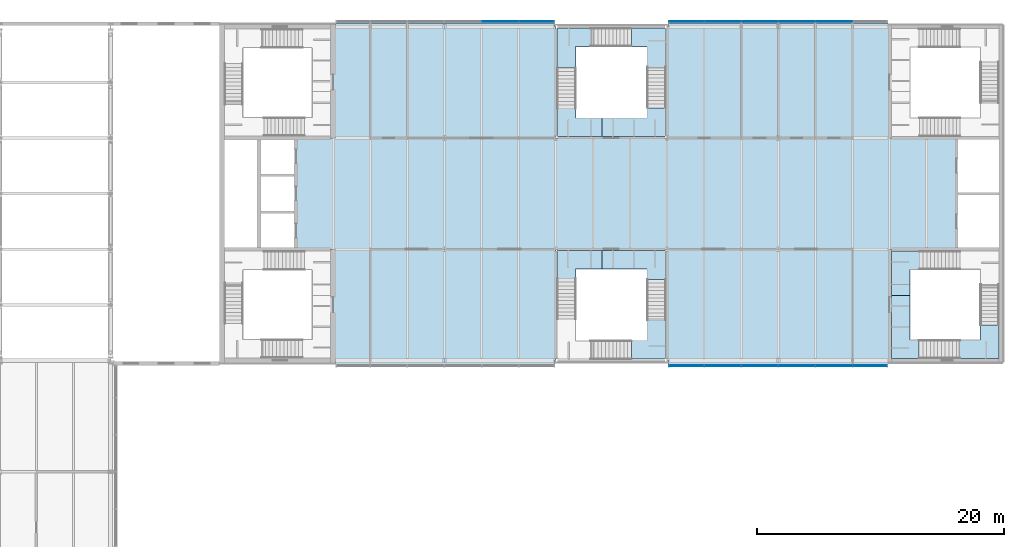
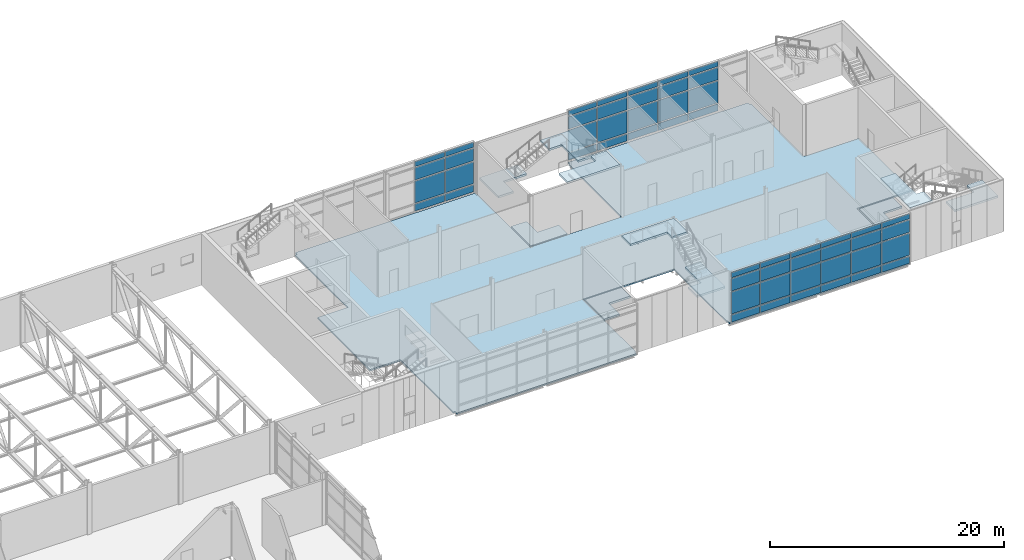
# One storey, part 34 of 53: 52 plates, 11 slabs, 6 elements without a shape of their own.
"""IFC4 building model written with IfcOpenShell, lengths in metres."""

from ifc_helpers import new_model, si_unit, direction, frame, origin, origin_2d, place, context, subcontext, project, spatial, polyline, rectangle, outline, extrude, material, layer, layer_set, type_object, element, aggregate, save


model = new_model("IFC4")

# Units and contexts
model_context = context("Model", 3, precision=1e-05, world=origin(), true_north=direction((0.0, 1.0)))
body_context = subcontext(model_context, "Body", "Model", "MODEL_VIEW")
ifc_project = project(units=[si_unit("LENGTHUNIT", "METRE"), si_unit("AREAUNIT", "SQUARE_METRE"), si_unit("VOLUMEUNIT", "CUBIC_METRE"), si_unit("PLANEANGLEUNIT", "RADIAN"), si_unit("MASSUNIT", "GRAM", prefix="KILO")], contexts=[model_context])

# Site, building, storey
site_placement = place(None, origin())
site = spatial("IfcSite", under=ifc_project, at=site_placement, CompositionType="ELEMENT")
building_placement = place(site_placement, origin())
building = spatial("IfcBuilding", under=site, at=building_placement, Name="Azimuth Sports and Learning Centre", CompositionType="ELEMENT")
storey_placement = place(building_placement, frame((0.0, 0.0, 10.800048828125)))
storey = spatial("IfcBuildingStorey", under=building, at=storey_placement, Name="L02", CompositionType="ELEMENT", Elevation=10.800048828125)

# Slab
ifc_material_1 = material(Name="Concrete C30/37", Category="concrete")
ifc_layer_1 = layer(ifc_material_1, 0.14990234375)
ifc_layer_set_1 = layer_set([ifc_layer_1], Name="Concrete C30/37")
slab_type_1 = type_object("IfcSlabType", Name="Composite floor slab 150", PredefinedType="FLOOR", material=ifc_layer_set_1)
slab_1_placement = place(storey_placement, frame((0.0, 0.0, -0.150146484375)))
element("IfcSlab", 1, at=slab_1_placement, inside=storey, type_object=slab_type_1, Name="Slab East wing L02", PredefinedType="FLOOR", context=body_context, shape_type="SweptSolid", body=[
    extrude(outline(polyline([(117.199951171875, 89.699951171875), (134.89990234375, 89.699951171875), (134.89990234375, 90.0), (135.0, 90.0), (135.0, 99.0), (144.0, 99.0), (144.0, 90.0), (144.10009765625, 90.0), (144.10009765625, 89.699951171875), (161.85009765625, 89.699951171875), (161.85009765625, 90.0), (162.0, 90.0), (162.0, 99.0), (167.39990234375, 99.0), (167.39990234375, 108.0), (162.0, 108.0), (162.0, 117.0), (161.85009765625, 117.0), (161.85009765625, 117.300048828125), (144.10009765625, 117.300048828125), (144.10009765625, 117.0), (144.0, 117.0), (144.0, 108.0), (135.0, 108.0), (135.0, 117.0), (134.89990234375, 117.0), (134.89990234375, 117.300048828125), (117.199951171875, 117.300048828125), (117.199951171875, 117.0), (117.0, 117.0), (117.0, 108.0), (114.0, 108.0), (114.0, 99.0), (117.0, 99.0), (117.0, 90.0), (117.199951171875, 90.0), (117.199951171875, 89.699951171875)])), origin(), (0.0, 0.0, 1.0), 0.150146484375),
])

# Stair, slabs
ifc_material_2 = material(Name="Concrete C32/40", Category="concrete")
stair_type_1 = type_object("IfcStairType", Name="Square-well stair end core 5400 storey", PredefinedType="THREE_QUARTER_TURN_STAIR", material=ifc_material_2)
stair_1_placement = place(storey_placement, origin())
stair_1 = element("IfcStair", 2, at=stair_1_placement, inside=storey, type_object=stair_type_1, Name="Stair EW1 L02-L03", PredefinedType="THREE_QUARTER_TURN_STAIR")
ifc_material_3 = material(Name="Concrete C32/40", Category="concrete")
ifc_layer_2 = layer(ifc_material_3, 0.199951171875)
ifc_layer_set_2 = layer_set([ifc_layer_2], Name="Concrete C32/40")
slab_type_2 = type_object("IfcSlabType", Name="Concrete stair landing", PredefinedType="LANDING", material=ifc_layer_set_2)
slab_2_placement = place(storey_placement, frame((0.0, 0.0, -0.199951171875)))
slab_2 = element("IfcSlab", 3, at=slab_2_placement, type_object=slab_type_2, Name="Stair EW1 L02 landing 1", PredefinedType="LANDING", context=body_context, shape_type="SweptSolid", body=[
    extrude(outline(polyline([(162.159912109375, 98.864990234375), (162.159912109375, 95.25), (163.659912109375, 95.25), (163.659912109375, 97.364990234375), (165.510009765625, 97.364990234375), (165.510009765625, 98.864990234375), (162.159912109375, 98.864990234375)])), origin(), (0.0, 0.0, 1.0), 0.199951171875),
])
slab_3_placement = place(storey_placement, frame((0.0, 0.0, 3.39990234375)))
slab_3 = element("IfcSlab", 4, at=slab_3_placement, type_object=slab_type_2, Name="Stair EW1 L02 landing 3", PredefinedType="LANDING", context=body_context, shape_type="SweptSolid", body=[
    extrude(outline(polyline([(169.340087890625, 91.659912109375), (166.590087890625, 91.659912109375), (166.590087890625, 90.159912109375), (170.840087890625, 90.159912109375), (170.840087890625, 92.86572265625), (169.340087890625, 92.86572265625), (169.340087890625, 91.659912109375)])), origin(), (0.0, 0.0, 1.0), 0.199951171875),
])
slab_4_placement = place(storey_placement, frame((0.0, 0.0, 5.199951171875)))
slab_4 = element("IfcSlab", 5, at=slab_4_placement, type_object=slab_type_2, Name="Stair EW1 L02 landing 4", PredefinedType="LANDING", context=body_context, shape_type="SweptSolid", body=[
    extrude(outline(polyline([(163.659912109375, 91.659912109375), (163.659912109375, 95.25), (162.159912109375, 95.25), (162.159912109375, 90.159912109375), (164.390625, 90.159912109375), (164.390625, 91.659912109375), (163.659912109375, 91.659912109375)])), origin(), (0.0, 0.0, 1.0), 0.199951171875),
])
aggregate(stair_1, [slab_2, slab_3, slab_4])

ifc_material_4 = material(Name="Concrete C32/40", Category="concrete")
stair_type_2 = type_object("IfcStairType", Name="Square-well stair mid-wing cell 5400 storey", PredefinedType="THREE_QUARTER_TURN_STAIR", material=ifc_material_4)
stair_2_placement = place(storey_placement, origin())
stair_2 = element("IfcStair", 6, at=stair_2_placement, inside=storey, type_object=stair_type_2, Name="Stair EM1 L02-L03", PredefinedType="THREE_QUARTER_TURN_STAIR")
slab_5_placement = place(storey_placement, frame((0.0, 0.0, -0.199951171875)))
slab_5 = element("IfcSlab", 7, at=slab_5_placement, type_object=slab_type_2, Name="Stair EM1 L02 landing 1", PredefinedType="LANDING", context=body_context, shape_type="SweptSolid", body=[
    extrude(outline(polyline([(136.610107421875, 95.5400390625), (136.610107421875, 97.389892578125), (138.75, 97.389892578125), (138.75, 98.889892578125), (135.110107421875, 98.889892578125), (135.110107421875, 95.5400390625), (136.610107421875, 95.5400390625)])), origin(), (0.0, 0.0, 1.0), 0.199951171875),
])
slab_6_placement = place(storey_placement, frame((0.0, 0.0, 3.39990234375)))
slab_6 = element("IfcSlab", 8, at=slab_6_placement, type_object=slab_type_2, Name="Stair EM1 L02 landing 3", PredefinedType="LANDING", context=body_context, shape_type="SweptSolid", body=[
    extrude(outline(polyline([(142.389892578125, 91.610107421875), (141.109375, 91.610107421875), (141.109375, 90.110107421875), (143.889892578125, 90.110107421875), (143.889892578125, 94.360107421875), (142.389892578125, 94.360107421875), (142.389892578125, 91.610107421875)])), origin(), (0.0, 0.0, 1.0), 0.199951171875),
])
slab_7_placement = place(storey_placement, frame((0.0, 0.0, 5.199951171875)))
slab_7 = element("IfcSlab", 9, at=slab_7_placement, type_object=slab_type_2, Name="Stair EM1 L02 landing 4", PredefinedType="LANDING", context=body_context, shape_type="SweptSolid", body=[
    extrude(outline(polyline([(142.389892578125, 97.389892578125), (142.389892578125, 96.559326171875), (143.889892578125, 96.559326171875), (143.889892578125, 98.889892578125), (138.75, 98.889892578125), (138.75, 97.389892578125), (142.389892578125, 97.389892578125)])), origin(), (0.0, 0.0, 1.0), 0.199951171875),
])
aggregate(stair_2, [slab_5, slab_6, slab_7])

stair_3_placement = place(storey_placement, origin())
stair_3 = element("IfcStair", 10, at=stair_3_placement, inside=storey, type_object=stair_type_2, Name="Stair EM2 L02-L03", PredefinedType="THREE_QUARTER_TURN_STAIR")
slab_8_placement = place(storey_placement, frame((0.0, 0.0, -0.199951171875)))
slab_8 = element("IfcSlab", 11, at=slab_8_placement, type_object=slab_type_2, Name="Stair EM2 L02 landing 1", PredefinedType="LANDING", context=body_context, shape_type="SweptSolid", body=[
    extrude(outline(polyline([(135.110107421875, 108.110107421875), (138.75, 108.110107421875), (138.75, 109.610107421875), (136.610107421875, 109.610107421875), (136.610107421875, 111.4599609375), (135.110107421875, 111.4599609375), (135.110107421875, 108.110107421875)])), origin(), (0.0, 0.0, 1.0), 0.199951171875),
])
slab_9_placement = place(storey_placement, frame((0.0, 0.0, 1.599853515625)))
slab_9 = element("IfcSlab", 12, at=slab_9_placement, type_object=slab_type_2, Name="Stair EM2 L02 landing 2", PredefinedType="LANDING", context=body_context, shape_type="SweptSolid", body=[
    extrude(outline(polyline([(136.610107421875, 115.389892578125), (138.909912109375, 115.389892578125), (138.909912109375, 116.889892578125), (135.110107421875, 116.889892578125), (135.110107421875, 113.6591796875), (136.610107421875, 113.6591796875), (136.610107421875, 115.389892578125)])), origin(), (0.0, 0.0, 1.0), 0.2001953125),
])
slab_10_placement = place(storey_placement, frame((0.0, 0.0, 3.39990234375)))
slab_10 = element("IfcSlab", 13, at=slab_10_placement, type_object=slab_type_2, Name="Stair EM2 L02 landing 3", PredefinedType="LANDING", context=body_context, shape_type="SweptSolid", body=[
    extrude(outline(polyline([(142.389892578125, 115.389892578125), (142.389892578125, 112.639892578125), (143.889892578125, 112.639892578125), (143.889892578125, 116.889892578125), (141.109375, 116.889892578125), (141.109375, 115.389892578125), (142.389892578125, 115.389892578125)])), origin(), (0.0, 0.0, 1.0), 0.199951171875),
])
slab_11_placement = place(storey_placement, frame((0.0, 0.0, 5.199951171875)))
slab_11 = element("IfcSlab", 14, at=slab_11_placement, type_object=slab_type_2, Name="Stair EM2 L02 landing 4", PredefinedType="LANDING", context=body_context, shape_type="SweptSolid", body=[
    extrude(outline(polyline([(142.389892578125, 109.610107421875), (138.75, 109.610107421875), (138.75, 108.110107421875), (143.889892578125, 108.110107421875), (143.889892578125, 110.440673828125), (142.389892578125, 110.440673828125), (142.389892578125, 109.610107421875)])), origin(), (0.0, 0.0, 1.0), 0.199951171875),
])
aggregate(stair_3, [slab_8, slab_9, slab_10, slab_11])

# Curtain wall, plates
ifc_material_5 = material(Name="Aluminium and glass", Category="aluminium")
curtain_wall_type = type_object("IfcCurtainWallType", Name="Curtain wall podium wing 240", PredefinedType="NOTDEFINED", material=ifc_material_5)
curtain_wall_1_placement = place(storey_placement, origin())
curtain_wall_1 = element("IfcCurtainWall", 15, at=curtain_wall_1_placement, inside=storey, type_object=curtain_wall_type, Name="Curtain wall CW02-010", PredefinedType="NOTDEFINED")
ifc_material_6 = material(Name="Insulated aluminium panel", Category="aluminium")
ifc_layer_3 = layer(ifc_material_6, 0.06005859375)
ifc_layer_set_3 = layer_set([ifc_layer_3], Name="Insulated aluminium panel")
plate_type_1 = type_object("IfcPlateType", Name="Spandrel panel 60 mm", PredefinedType="CURTAIN_PANEL", material=ifc_layer_set_3)
plate_1_placement = place(storey_placement, frame((145.570068359375, 89.580078125, 0.1201171875), z_axis=(0.0, 0.0, 1.0), x_axis=(1.0, 0.0, 0.0)))
plate_1 = element("IfcPlate", 16, at=plate_1_placement, type_object=plate_type_1, Name="CW02-010 panel 1.1", PredefinedType="CURTAIN_PANEL", context=body_context, shape_type="SweptSolid", body=[
    extrude(rectangle(XDim=2.780029296875, YDim=0.06005859375, at=origin_2d()), origin(), (0.0, 0.0, 1.0), 0.719970703125),
])
plate_2_placement = place(storey_placement, frame((145.570068359375, 89.580078125, 4.760009765625), z_axis=(0.0, 0.0, 1.0), x_axis=(1.0, 0.0, 0.0)))
plate_2 = element("IfcPlate", 17, at=plate_2_placement, type_object=plate_type_1, Name="CW02-010 panel 1.4", PredefinedType="CURTAIN_PANEL", context=body_context, shape_type="SweptSolid", body=[
    extrude(rectangle(XDim=2.780029296875, YDim=0.06005859375, at=origin_2d()), origin(), (0.0, 0.0, 1.0), 0.52001953125),
])
plate_3_placement = place(storey_placement, frame((148.5, 89.580078125, 0.1201171875), z_axis=(0.0, 0.0, 1.0), x_axis=(1.0, 0.0, 0.0)))
plate_3 = element("IfcPlate", 18, at=plate_3_placement, type_object=plate_type_1, Name="CW02-010 panel 2.1", PredefinedType="CURTAIN_PANEL", context=body_context, shape_type="SweptSolid", body=[
    extrude(rectangle(XDim=2.919921875, YDim=0.06005859375, at=origin_2d()), origin(), (0.0, 0.0, 1.0), 0.719970703125),
])
plate_4_placement = place(storey_placement, frame((148.5, 89.580078125, 4.760009765625), z_axis=(0.0, 0.0, 1.0), x_axis=(1.0, 0.0, 0.0)))
plate_4 = element("IfcPlate", 19, at=plate_4_placement, type_object=plate_type_1, Name="CW02-010 panel 2.4", PredefinedType="CURTAIN_PANEL", context=body_context, shape_type="SweptSolid", body=[
    extrude(rectangle(XDim=2.919921875, YDim=0.06005859375, at=origin_2d()), origin(), (0.0, 0.0, 1.0), 0.52001953125),
])
plate_5_placement = place(storey_placement, frame((151.5, 89.580078125, 0.1201171875), z_axis=(0.0, 0.0, 1.0), x_axis=(1.0, 0.0, 0.0)))
plate_5 = element("IfcPlate", 20, at=plate_5_placement, type_object=plate_type_1, Name="CW02-010 panel 3.1", PredefinedType="CURTAIN_PANEL", context=body_context, shape_type="SweptSolid", body=[
    extrude(rectangle(XDim=2.919921875, YDim=0.06005859375, at=origin_2d()), origin(), (0.0, 0.0, 1.0), 0.719970703125),
])
plate_6_placement = place(storey_placement, frame((151.5, 89.580078125, 4.760009765625), z_axis=(0.0, 0.0, 1.0), x_axis=(1.0, 0.0, 0.0)))
plate_6 = element("IfcPlate", 21, at=plate_6_placement, type_object=plate_type_1, Name="CW02-010 panel 3.4", PredefinedType="CURTAIN_PANEL", context=body_context, shape_type="SweptSolid", body=[
    extrude(rectangle(XDim=2.919921875, YDim=0.06005859375, at=origin_2d()), origin(), (0.0, 0.0, 1.0), 0.52001953125),
])
plate_7_placement = place(storey_placement, frame((154.5, 89.580078125, 0.1201171875), z_axis=(0.0, 0.0, 1.0), x_axis=(1.0, 0.0, 0.0)))
plate_7 = element("IfcPlate", 22, at=plate_7_placement, type_object=plate_type_1, Name="CW02-010 panel 4.1", PredefinedType="CURTAIN_PANEL", context=body_context, shape_type="SweptSolid", body=[
    extrude(rectangle(XDim=2.919921875, YDim=0.06005859375, at=origin_2d()), origin(), (0.0, 0.0, 1.0), 0.719970703125),
])
plate_8_placement = place(storey_placement, frame((154.5, 89.580078125, 4.760009765625), z_axis=(0.0, 0.0, 1.0), x_axis=(1.0, 0.0, 0.0)))
plate_8 = element("IfcPlate", 23, at=plate_8_placement, type_object=plate_type_1, Name="CW02-010 panel 4.4", PredefinedType="CURTAIN_PANEL", context=body_context, shape_type="SweptSolid", body=[
    extrude(rectangle(XDim=2.919921875, YDim=0.06005859375, at=origin_2d()), origin(), (0.0, 0.0, 1.0), 0.52001953125),
])
plate_9_placement = place(storey_placement, frame((157.5, 89.580078125, 0.1201171875), z_axis=(0.0, 0.0, 1.0), x_axis=(1.0, 0.0, 0.0)))
plate_9 = element("IfcPlate", 24, at=plate_9_placement, type_object=plate_type_1, Name="CW02-010 panel 5.1", PredefinedType="CURTAIN_PANEL", context=body_context, shape_type="SweptSolid", body=[
    extrude(rectangle(XDim=2.919921875, YDim=0.06005859375, at=origin_2d()), origin(), (0.0, 0.0, 1.0), 0.719970703125),
])
plate_10_placement = place(storey_placement, frame((157.5, 89.580078125, 4.760009765625), z_axis=(0.0, 0.0, 1.0), x_axis=(1.0, 0.0, 0.0)))
plate_10 = element("IfcPlate", 25, at=plate_10_placement, type_object=plate_type_1, Name="CW02-010 panel 5.4", PredefinedType="CURTAIN_PANEL", context=body_context, shape_type="SweptSolid", body=[
    extrude(rectangle(XDim=2.919921875, YDim=0.06005859375, at=origin_2d()), origin(), (0.0, 0.0, 1.0), 0.52001953125),
])
plate_11_placement = place(storey_placement, frame((160.405029296875, 89.580078125, 0.1201171875), z_axis=(0.0, 0.0, 1.0), x_axis=(1.0, 0.0, 0.0)))
plate_11 = element("IfcPlate", 26, at=plate_11_placement, type_object=plate_type_1, Name="CW02-010 panel 6.1", PredefinedType="CURTAIN_PANEL", context=body_context, shape_type="SweptSolid", body=[
    extrude(rectangle(XDim=2.72998046875, YDim=0.06005859375, at=origin_2d()), origin(), (0.0, 0.0, 1.0), 0.719970703125),
])
plate_12_placement = place(storey_placement, frame((160.405029296875, 89.580078125, 4.760009765625), z_axis=(0.0, 0.0, 1.0), x_axis=(1.0, 0.0, 0.0)))
plate_12 = element("IfcPlate", 27, at=plate_12_placement, type_object=plate_type_1, Name="CW02-010 panel 6.4", PredefinedType="CURTAIN_PANEL", context=body_context, shape_type="SweptSolid", body=[
    extrude(rectangle(XDim=2.72998046875, YDim=0.06005859375, at=origin_2d()), origin(), (0.0, 0.0, 1.0), 0.52001953125),
])

curtain_wall_2_placement = place(storey_placement, origin())
curtain_wall_2 = element("IfcCurtainWall", 28, at=curtain_wall_2_placement, inside=storey, type_object=curtain_wall_type, Name="Curtain wall CW02-011", PredefinedType="NOTDEFINED")
plate_13_placement = place(storey_placement, frame((157.5, 117.419921875, 0.1201171875), z_axis=(0.0, 0.0, 1.0), x_axis=(-1.0, 0.0, 0.0)))
plate_13 = element("IfcPlate", 29, at=plate_13_placement, type_object=plate_type_1, Name="CW02-011 panel 2.1", PredefinedType="CURTAIN_PANEL", context=body_context, shape_type="SweptSolid", body=[
    extrude(rectangle(XDim=2.919921875, YDim=0.06005859375, at=origin_2d()), origin(), (0.0, 0.0, 1.0), 0.719970703125),
])
plate_14_placement = place(storey_placement, frame((157.5, 117.419921875, 4.760009765625), z_axis=(0.0, 0.0, 1.0), x_axis=(-1.0, 0.0, 0.0)))
plate_14 = element("IfcPlate", 30, at=plate_14_placement, type_object=plate_type_1, Name="CW02-011 panel 2.4", PredefinedType="CURTAIN_PANEL", context=body_context, shape_type="SweptSolid", body=[
    extrude(rectangle(XDim=2.919921875, YDim=0.06005859375, at=origin_2d()), origin(), (0.0, 0.0, 1.0), 0.52001953125),
])
plate_15_placement = place(storey_placement, frame((154.5, 117.419921875, 0.1201171875), z_axis=(0.0, 0.0, 1.0), x_axis=(-1.0, 0.0, 0.0)))
plate_15 = element("IfcPlate", 31, at=plate_15_placement, type_object=plate_type_1, Name="CW02-011 panel 3.1", PredefinedType="CURTAIN_PANEL", context=body_context, shape_type="SweptSolid", body=[
    extrude(rectangle(XDim=2.919921875, YDim=0.06005859375, at=origin_2d()), origin(), (0.0, 0.0, 1.0), 0.719970703125),
])
plate_16_placement = place(storey_placement, frame((154.5, 117.419921875, 4.760009765625), z_axis=(0.0, 0.0, 1.0), x_axis=(-1.0, 0.0, 0.0)))
plate_16 = element("IfcPlate", 32, at=plate_16_placement, type_object=plate_type_1, Name="CW02-011 panel 3.4", PredefinedType="CURTAIN_PANEL", context=body_context, shape_type="SweptSolid", body=[
    extrude(rectangle(XDim=2.919921875, YDim=0.06005859375, at=origin_2d()), origin(), (0.0, 0.0, 1.0), 0.52001953125),
])
plate_17_placement = place(storey_placement, frame((151.5, 117.419921875, 0.1201171875), z_axis=(0.0, 0.0, 1.0), x_axis=(-1.0, 0.0, 0.0)))
plate_17 = element("IfcPlate", 33, at=plate_17_placement, type_object=plate_type_1, Name="CW02-011 panel 4.1", PredefinedType="CURTAIN_PANEL", context=body_context, shape_type="SweptSolid", body=[
    extrude(rectangle(XDim=2.919921875, YDim=0.06005859375, at=origin_2d()), origin(), (0.0, 0.0, 1.0), 0.719970703125),
])
plate_18_placement = place(storey_placement, frame((151.5, 117.419921875, 4.760009765625), z_axis=(0.0, 0.0, 1.0), x_axis=(-1.0, 0.0, 0.0)))
plate_18 = element("IfcPlate", 34, at=plate_18_placement, type_object=plate_type_1, Name="CW02-011 panel 4.4", PredefinedType="CURTAIN_PANEL", context=body_context, shape_type="SweptSolid", body=[
    extrude(rectangle(XDim=2.919921875, YDim=0.06005859375, at=origin_2d()), origin(), (0.0, 0.0, 1.0), 0.52001953125),
])
plate_19_placement = place(storey_placement, frame((148.5, 117.419921875, 0.1201171875), z_axis=(0.0, 0.0, 1.0), x_axis=(-1.0, 0.0, 0.0)))
plate_19 = element("IfcPlate", 35, at=plate_19_placement, type_object=plate_type_1, Name="CW02-011 panel 5.1", PredefinedType="CURTAIN_PANEL", context=body_context, shape_type="SweptSolid", body=[
    extrude(rectangle(XDim=2.919921875, YDim=0.06005859375, at=origin_2d()), origin(), (0.0, 0.0, 1.0), 0.719970703125),
])
plate_20_placement = place(storey_placement, frame((148.5, 117.419921875, 4.760009765625), z_axis=(0.0, 0.0, 1.0), x_axis=(-1.0, 0.0, 0.0)))
plate_20 = element("IfcPlate", 36, at=plate_20_placement, type_object=plate_type_1, Name="CW02-011 panel 5.4", PredefinedType="CURTAIN_PANEL", context=body_context, shape_type="SweptSolid", body=[
    extrude(rectangle(XDim=2.919921875, YDim=0.06005859375, at=origin_2d()), origin(), (0.0, 0.0, 1.0), 0.52001953125),
])
plate_21_placement = place(storey_placement, frame((145.570068359375, 117.419921875, 0.1201171875), z_axis=(0.0, 0.0, 1.0), x_axis=(-1.0, 0.0, 0.0)))
plate_21 = element("IfcPlate", 37, at=plate_21_placement, type_object=plate_type_1, Name="CW02-011 panel 6.1", PredefinedType="CURTAIN_PANEL", context=body_context, shape_type="SweptSolid", body=[
    extrude(rectangle(XDim=2.780029296875, YDim=0.06005859375, at=origin_2d()), origin(), (0.0, 0.0, 1.0), 0.719970703125),
])
plate_22_placement = place(storey_placement, frame((145.570068359375, 117.419921875, 4.760009765625), z_axis=(0.0, 0.0, 1.0), x_axis=(-1.0, 0.0, 0.0)))
plate_22 = element("IfcPlate", 38, at=plate_22_placement, type_object=plate_type_1, Name="CW02-011 panel 6.4", PredefinedType="CURTAIN_PANEL", context=body_context, shape_type="SweptSolid", body=[
    extrude(rectangle(XDim=2.780029296875, YDim=0.06005859375, at=origin_2d()), origin(), (0.0, 0.0, 1.0), 0.52001953125),
])

curtain_wall_3_placement = place(storey_placement, origin())
curtain_wall_3 = element("IfcCurtainWall", 39, at=curtain_wall_3_placement, inside=storey, type_object=curtain_wall_type, Name="Curtain wall CW02-012", PredefinedType="NOTDEFINED")
plate_23_placement = place(storey_placement, frame((133.429931640625, 117.419921875, 0.1201171875), z_axis=(0.0, 0.0, 1.0), x_axis=(-1.0, 0.0, 0.0)))
plate_23 = element("IfcPlate", 40, at=plate_23_placement, type_object=plate_type_1, Name="CW02-012 panel 1.1", PredefinedType="CURTAIN_PANEL", context=body_context, shape_type="SweptSolid", body=[
    extrude(rectangle(XDim=2.780029296875, YDim=0.06005859375, at=origin_2d()), origin(), (0.0, 0.0, 1.0), 0.719970703125),
])
plate_24_placement = place(storey_placement, frame((133.429931640625, 117.419921875, 4.760009765625), z_axis=(0.0, 0.0, 1.0), x_axis=(-1.0, 0.0, 0.0)))
plate_24 = element("IfcPlate", 41, at=plate_24_placement, type_object=plate_type_1, Name="CW02-012 panel 1.4", PredefinedType="CURTAIN_PANEL", context=body_context, shape_type="SweptSolid", body=[
    extrude(rectangle(XDim=2.780029296875, YDim=0.06005859375, at=origin_2d()), origin(), (0.0, 0.0, 1.0), 0.52001953125),
])
plate_25_placement = place(storey_placement, frame((130.5, 117.419921875, 0.1201171875), z_axis=(0.0, 0.0, 1.0), x_axis=(-1.0, 0.0, 0.0)))
plate_25 = element("IfcPlate", 42, at=plate_25_placement, type_object=plate_type_1, Name="CW02-012 panel 2.1", PredefinedType="CURTAIN_PANEL", context=body_context, shape_type="SweptSolid", body=[
    extrude(rectangle(XDim=2.919921875, YDim=0.06005859375, at=origin_2d()), origin(), (0.0, 0.0, 1.0), 0.719970703125),
])
plate_26_placement = place(storey_placement, frame((130.5, 117.419921875, 4.760009765625), z_axis=(0.0, 0.0, 1.0), x_axis=(-1.0, 0.0, 0.0)))
plate_26 = element("IfcPlate", 43, at=plate_26_placement, type_object=plate_type_1, Name="CW02-012 panel 2.4", PredefinedType="CURTAIN_PANEL", context=body_context, shape_type="SweptSolid", body=[
    extrude(rectangle(XDim=2.919921875, YDim=0.06005859375, at=origin_2d()), origin(), (0.0, 0.0, 1.0), 0.52001953125),
])

# Plate
ifc_material_7 = material(Name="Glass", Category="glass")
ifc_layer_4 = layer(ifc_material_7, 0.0439453125)
ifc_layer_set_4 = layer_set([ifc_layer_4], Name="Glass")
plate_type_2 = type_object("IfcPlateType", Name="Vision glass 44 mm", PredefinedType="CURTAIN_PANEL", material=ifc_layer_set_4)
plate_27_placement = place(storey_placement, frame((145.570068359375, 89.580078125, 0.9599609375), z_axis=(0.0, 0.0, 1.0), x_axis=(1.0, 0.0, 0.0)))
plate_27 = element("IfcPlate", 44, at=plate_27_placement, type_object=plate_type_2, Name="CW02-010 panel 1.2", PredefinedType="CURTAIN_PANEL", context=body_context, shape_type="SweptSolid", body=[
    extrude(rectangle(XDim=2.780029296875, YDim=0.0439453125, at=origin_2d()), origin(), (0.0, 0.0, 1.0), 2.280029296875),
])

plate_28_placement = place(storey_placement, frame((145.570068359375, 89.580078125, 3.35986328125), z_axis=(0.0, 0.0, 1.0), x_axis=(1.0, 0.0, 0.0)))
plate_28 = element("IfcPlate", 45, at=plate_28_placement, type_object=plate_type_2, Name="CW02-010 panel 1.3", PredefinedType="CURTAIN_PANEL", context=body_context, shape_type="SweptSolid", body=[
    extrude(rectangle(XDim=2.780029296875, YDim=0.0439453125, at=origin_2d()), origin(), (0.0, 0.0, 1.0), 1.280029296875),
])

plate_29_placement = place(storey_placement, frame((148.5, 89.580078125, 0.9599609375), z_axis=(0.0, 0.0, 1.0), x_axis=(1.0, 0.0, 0.0)))
plate_29 = element("IfcPlate", 46, at=plate_29_placement, type_object=plate_type_2, Name="CW02-010 panel 2.2", PredefinedType="CURTAIN_PANEL", context=body_context, shape_type="SweptSolid", body=[
    extrude(rectangle(XDim=2.919921875, YDim=0.0439453125, at=origin_2d()), origin(), (0.0, 0.0, 1.0), 2.280029296875),
])

plate_30_placement = place(storey_placement, frame((148.5, 89.580078125, 3.35986328125), z_axis=(0.0, 0.0, 1.0), x_axis=(1.0, 0.0, 0.0)))
plate_30 = element("IfcPlate", 47, at=plate_30_placement, type_object=plate_type_2, Name="CW02-010 panel 2.3", PredefinedType="CURTAIN_PANEL", context=body_context, shape_type="SweptSolid", body=[
    extrude(rectangle(XDim=2.919921875, YDim=0.0439453125, at=origin_2d()), origin(), (0.0, 0.0, 1.0), 1.280029296875),
])

plate_31_placement = place(storey_placement, frame((151.5, 89.580078125, 0.9599609375), z_axis=(0.0, 0.0, 1.0), x_axis=(1.0, 0.0, 0.0)))
plate_31 = element("IfcPlate", 48, at=plate_31_placement, type_object=plate_type_2, Name="CW02-010 panel 3.2", PredefinedType="CURTAIN_PANEL", context=body_context, shape_type="SweptSolid", body=[
    extrude(rectangle(XDim=2.919921875, YDim=0.0439453125, at=origin_2d()), origin(), (0.0, 0.0, 1.0), 2.280029296875),
])

plate_32_placement = place(storey_placement, frame((151.5, 89.580078125, 3.35986328125), z_axis=(0.0, 0.0, 1.0), x_axis=(1.0, 0.0, 0.0)))
plate_32 = element("IfcPlate", 49, at=plate_32_placement, type_object=plate_type_2, Name="CW02-010 panel 3.3", PredefinedType="CURTAIN_PANEL", context=body_context, shape_type="SweptSolid", body=[
    extrude(rectangle(XDim=2.919921875, YDim=0.0439453125, at=origin_2d()), origin(), (0.0, 0.0, 1.0), 1.280029296875),
])

plate_33_placement = place(storey_placement, frame((154.5, 89.580078125, 0.9599609375), z_axis=(0.0, 0.0, 1.0), x_axis=(1.0, 0.0, 0.0)))
plate_33 = element("IfcPlate", 50, at=plate_33_placement, type_object=plate_type_2, Name="CW02-010 panel 4.2", PredefinedType="CURTAIN_PANEL", context=body_context, shape_type="SweptSolid", body=[
    extrude(rectangle(XDim=2.919921875, YDim=0.0439453125, at=origin_2d()), origin(), (0.0, 0.0, 1.0), 2.280029296875),
])

plate_34_placement = place(storey_placement, frame((154.5, 89.580078125, 3.35986328125), z_axis=(0.0, 0.0, 1.0), x_axis=(1.0, 0.0, 0.0)))
plate_34 = element("IfcPlate", 51, at=plate_34_placement, type_object=plate_type_2, Name="CW02-010 panel 4.3", PredefinedType="CURTAIN_PANEL", context=body_context, shape_type="SweptSolid", body=[
    extrude(rectangle(XDim=2.919921875, YDim=0.0439453125, at=origin_2d()), origin(), (0.0, 0.0, 1.0), 1.280029296875),
])

plate_35_placement = place(storey_placement, frame((157.5, 89.580078125, 0.9599609375), z_axis=(0.0, 0.0, 1.0), x_axis=(1.0, 0.0, 0.0)))
plate_35 = element("IfcPlate", 52, at=plate_35_placement, type_object=plate_type_2, Name="CW02-010 panel 5.2", PredefinedType="CURTAIN_PANEL", context=body_context, shape_type="SweptSolid", body=[
    extrude(rectangle(XDim=2.919921875, YDim=0.0439453125, at=origin_2d()), origin(), (0.0, 0.0, 1.0), 2.280029296875),
])

plate_36_placement = place(storey_placement, frame((157.5, 89.580078125, 3.35986328125), z_axis=(0.0, 0.0, 1.0), x_axis=(1.0, 0.0, 0.0)))
plate_36 = element("IfcPlate", 53, at=plate_36_placement, type_object=plate_type_2, Name="CW02-010 panel 5.3", PredefinedType="CURTAIN_PANEL", context=body_context, shape_type="SweptSolid", body=[
    extrude(rectangle(XDim=2.919921875, YDim=0.0439453125, at=origin_2d()), origin(), (0.0, 0.0, 1.0), 1.280029296875),
])

plate_37_placement = place(storey_placement, frame((160.405029296875, 89.580078125, 0.9599609375), z_axis=(0.0, 0.0, 1.0), x_axis=(1.0, 0.0, 0.0)))
plate_37 = element("IfcPlate", 54, at=plate_37_placement, type_object=plate_type_2, Name="CW02-010 panel 6.2", PredefinedType="CURTAIN_PANEL", context=body_context, shape_type="SweptSolid", body=[
    extrude(rectangle(XDim=2.72998046875, YDim=0.0439453125, at=origin_2d()), origin(), (0.0, 0.0, 1.0), 2.280029296875),
])

plate_38_placement = place(storey_placement, frame((160.405029296875, 89.580078125, 3.35986328125), z_axis=(0.0, 0.0, 1.0), x_axis=(1.0, 0.0, 0.0)))
plate_38 = element("IfcPlate", 55, at=plate_38_placement, type_object=plate_type_2, Name="CW02-010 panel 6.3", PredefinedType="CURTAIN_PANEL", context=body_context, shape_type="SweptSolid", body=[
    extrude(rectangle(XDim=2.72998046875, YDim=0.0439453125, at=origin_2d()), origin(), (0.0, 0.0, 1.0), 1.280029296875),
])

aggregate(curtain_wall_1, [plate_1, plate_27, plate_28, plate_2, plate_3, plate_29, plate_30, plate_4, plate_5, plate_31, plate_32, plate_6, plate_7, plate_33, plate_34, plate_8, plate_9, plate_35, plate_36, plate_10, plate_11, plate_37, plate_38, plate_12])

plate_39_placement = place(storey_placement, frame((157.5, 117.419921875, 0.9599609375), z_axis=(0.0, 0.0, 1.0), x_axis=(-1.0, 0.0, 0.0)))
plate_39 = element("IfcPlate", 56, at=plate_39_placement, type_object=plate_type_2, Name="CW02-011 panel 2.2", PredefinedType="CURTAIN_PANEL", context=body_context, shape_type="SweptSolid", body=[
    extrude(rectangle(XDim=2.919921875, YDim=0.0439453125, at=origin_2d()), origin(), (0.0, 0.0, 1.0), 2.280029296875),
])

plate_40_placement = place(storey_placement, frame((157.5, 117.419921875, 3.35986328125), z_axis=(0.0, 0.0, 1.0), x_axis=(-1.0, 0.0, 0.0)))
plate_40 = element("IfcPlate", 57, at=plate_40_placement, type_object=plate_type_2, Name="CW02-011 panel 2.3", PredefinedType="CURTAIN_PANEL", context=body_context, shape_type="SweptSolid", body=[
    extrude(rectangle(XDim=2.919921875, YDim=0.0439453125, at=origin_2d()), origin(), (0.0, 0.0, 1.0), 1.280029296875),
])

plate_41_placement = place(storey_placement, frame((154.5, 117.419921875, 0.9599609375), z_axis=(0.0, 0.0, 1.0), x_axis=(-1.0, 0.0, 0.0)))
plate_41 = element("IfcPlate", 58, at=plate_41_placement, type_object=plate_type_2, Name="CW02-011 panel 3.2", PredefinedType="CURTAIN_PANEL", context=body_context, shape_type="SweptSolid", body=[
    extrude(rectangle(XDim=2.919921875, YDim=0.0439453125, at=origin_2d()), origin(), (0.0, 0.0, 1.0), 2.280029296875),
])

plate_42_placement = place(storey_placement, frame((154.5, 117.419921875, 3.35986328125), z_axis=(0.0, 0.0, 1.0), x_axis=(-1.0, 0.0, 0.0)))
plate_42 = element("IfcPlate", 59, at=plate_42_placement, type_object=plate_type_2, Name="CW02-011 panel 3.3", PredefinedType="CURTAIN_PANEL", context=body_context, shape_type="SweptSolid", body=[
    extrude(rectangle(XDim=2.919921875, YDim=0.0439453125, at=origin_2d()), origin(), (0.0, 0.0, 1.0), 1.280029296875),
])

plate_43_placement = place(storey_placement, frame((151.5, 117.419921875, 0.9599609375), z_axis=(0.0, 0.0, 1.0), x_axis=(-1.0, 0.0, 0.0)))
plate_43 = element("IfcPlate", 60, at=plate_43_placement, type_object=plate_type_2, Name="CW02-011 panel 4.2", PredefinedType="CURTAIN_PANEL", context=body_context, shape_type="SweptSolid", body=[
    extrude(rectangle(XDim=2.919921875, YDim=0.0439453125, at=origin_2d()), origin(), (0.0, 0.0, 1.0), 2.280029296875),
])

plate_44_placement = place(storey_placement, frame((151.5, 117.419921875, 3.35986328125), z_axis=(0.0, 0.0, 1.0), x_axis=(-1.0, 0.0, 0.0)))
plate_44 = element("IfcPlate", 61, at=plate_44_placement, type_object=plate_type_2, Name="CW02-011 panel 4.3", PredefinedType="CURTAIN_PANEL", context=body_context, shape_type="SweptSolid", body=[
    extrude(rectangle(XDim=2.919921875, YDim=0.0439453125, at=origin_2d()), origin(), (0.0, 0.0, 1.0), 1.280029296875),
])

plate_45_placement = place(storey_placement, frame((148.5, 117.419921875, 0.9599609375), z_axis=(0.0, 0.0, 1.0), x_axis=(-1.0, 0.0, 0.0)))
plate_45 = element("IfcPlate", 62, at=plate_45_placement, type_object=plate_type_2, Name="CW02-011 panel 5.2", PredefinedType="CURTAIN_PANEL", context=body_context, shape_type="SweptSolid", body=[
    extrude(rectangle(XDim=2.919921875, YDim=0.0439453125, at=origin_2d()), origin(), (0.0, 0.0, 1.0), 2.280029296875),
])

plate_46_placement = place(storey_placement, frame((148.5, 117.419921875, 3.35986328125), z_axis=(0.0, 0.0, 1.0), x_axis=(-1.0, 0.0, 0.0)))
plate_46 = element("IfcPlate", 63, at=plate_46_placement, type_object=plate_type_2, Name="CW02-011 panel 5.3", PredefinedType="CURTAIN_PANEL", context=body_context, shape_type="SweptSolid", body=[
    extrude(rectangle(XDim=2.919921875, YDim=0.0439453125, at=origin_2d()), origin(), (0.0, 0.0, 1.0), 1.280029296875),
])

plate_47_placement = place(storey_placement, frame((145.570068359375, 117.419921875, 0.9599609375), z_axis=(0.0, 0.0, 1.0), x_axis=(-1.0, 0.0, 0.0)))
plate_47 = element("IfcPlate", 64, at=plate_47_placement, type_object=plate_type_2, Name="CW02-011 panel 6.2", PredefinedType="CURTAIN_PANEL", context=body_context, shape_type="SweptSolid", body=[
    extrude(rectangle(XDim=2.780029296875, YDim=0.0439453125, at=origin_2d()), origin(), (0.0, 0.0, 1.0), 2.280029296875),
])

plate_48_placement = place(storey_placement, frame((145.570068359375, 117.419921875, 3.35986328125), z_axis=(0.0, 0.0, 1.0), x_axis=(-1.0, 0.0, 0.0)))
plate_48 = element("IfcPlate", 65, at=plate_48_placement, type_object=plate_type_2, Name="CW02-011 panel 6.3", PredefinedType="CURTAIN_PANEL", context=body_context, shape_type="SweptSolid", body=[
    extrude(rectangle(XDim=2.780029296875, YDim=0.0439453125, at=origin_2d()), origin(), (0.0, 0.0, 1.0), 1.280029296875),
])

aggregate(curtain_wall_2, [plate_13, plate_39, plate_40, plate_14, plate_15, plate_41, plate_42, plate_16, plate_17, plate_43, plate_44, plate_18, plate_19, plate_45, plate_46, plate_20, plate_21, plate_47, plate_48, plate_22])

plate_49_placement = place(storey_placement, frame((133.429931640625, 117.419921875, 0.9599609375), z_axis=(0.0, 0.0, 1.0), x_axis=(-1.0, 0.0, 0.0)))
plate_49 = element("IfcPlate", 66, at=plate_49_placement, type_object=plate_type_2, Name="CW02-012 panel 1.2", PredefinedType="CURTAIN_PANEL", context=body_context, shape_type="SweptSolid", body=[
    extrude(rectangle(XDim=2.780029296875, YDim=0.0439453125, at=origin_2d()), origin(), (0.0, 0.0, 1.0), 2.280029296875),
])

plate_50_placement = place(storey_placement, frame((133.429931640625, 117.419921875, 3.35986328125), z_axis=(0.0, 0.0, 1.0), x_axis=(-1.0, 0.0, 0.0)))
plate_50 = element("IfcPlate", 67, at=plate_50_placement, type_object=plate_type_2, Name="CW02-012 panel 1.3", PredefinedType="CURTAIN_PANEL", context=body_context, shape_type="SweptSolid", body=[
    extrude(rectangle(XDim=2.780029296875, YDim=0.0439453125, at=origin_2d()), origin(), (0.0, 0.0, 1.0), 1.280029296875),
])

plate_51_placement = place(storey_placement, frame((130.5, 117.419921875, 0.9599609375), z_axis=(0.0, 0.0, 1.0), x_axis=(-1.0, 0.0, 0.0)))
plate_51 = element("IfcPlate", 68, at=plate_51_placement, type_object=plate_type_2, Name="CW02-012 panel 2.2", PredefinedType="CURTAIN_PANEL", context=body_context, shape_type="SweptSolid", body=[
    extrude(rectangle(XDim=2.919921875, YDim=0.0439453125, at=origin_2d()), origin(), (0.0, 0.0, 1.0), 2.280029296875),
])

plate_52_placement = place(storey_placement, frame((130.5, 117.419921875, 3.35986328125), z_axis=(0.0, 0.0, 1.0), x_axis=(-1.0, 0.0, 0.0)))
plate_52 = element("IfcPlate", 69, at=plate_52_placement, type_object=plate_type_2, Name="CW02-012 panel 2.3", PredefinedType="CURTAIN_PANEL", context=body_context, shape_type="SweptSolid", body=[
    extrude(rectangle(XDim=2.919921875, YDim=0.0439453125, at=origin_2d()), origin(), (0.0, 0.0, 1.0), 1.280029296875),
])

aggregate(curtain_wall_3, [plate_23, plate_49, plate_50, plate_24, plate_25, plate_51, plate_52, plate_26])

save(model, "model.ifc")
